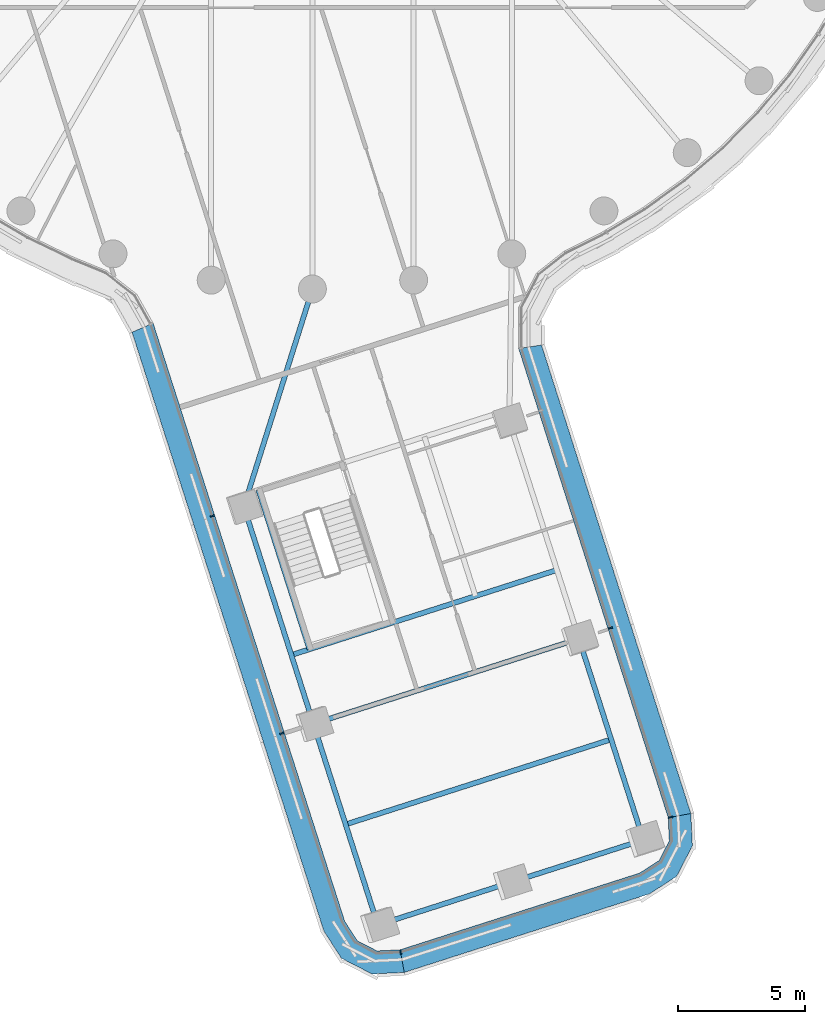
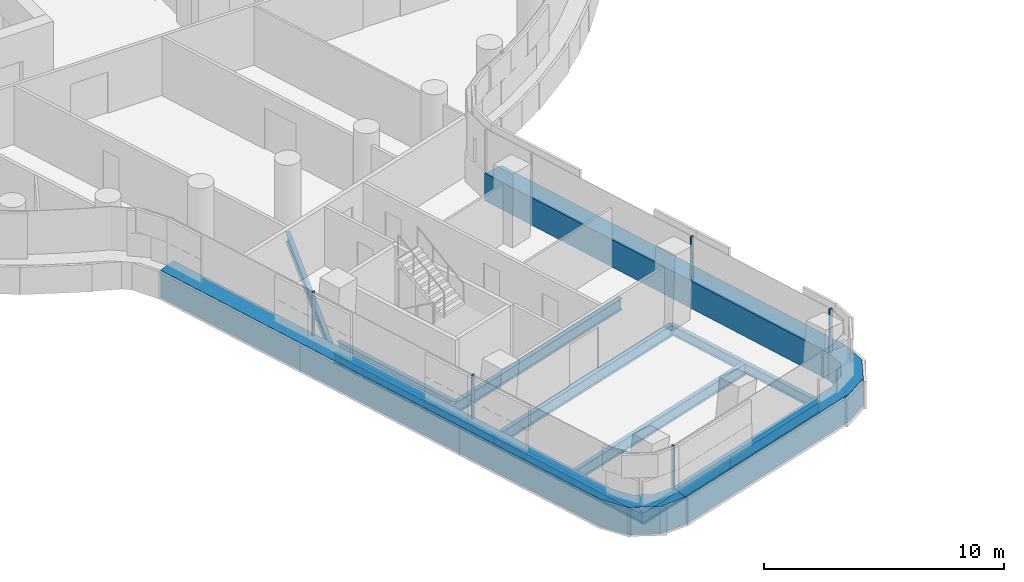
# One storey, part 2 of 30: 10 beams, 8 members, 3 elements without a shape of their own.
"""IFC4 building model written with IfcOpenShell, lengths in metres."""

import ifcopenshell
import ifcopenshell.guid

model = None  # the IFC model being written
_history = None  # IfcOwnerHistory: only IFC2X3 demands one
_inside = {}  # id of a spatial element -> (the spatial element, [elements in it])
_under = {}  # id of a project, library or spatial element -> (it, [spatial elements below it])
_declared = {}  # id of a project -> (the project, [libraries it declares])
_typed = {}  # id of a type object -> (the type object, [elements of that type])
_made_of = {}  # id of a material, layer set ... -> (it, [elements and type objects made of it])


def new_model(schema):
    """Start an empty IFC model of exactly this schema.

    Asked for "IFC4X3", IfcOpenShell would pick the latest addendum, in which some entities
    have other attributes; the version numbers below select the first issue.
    IFC2X3 requires an IfcOwnerHistory on every rooted entity: one is made here for all.
    """
    global model, _history
    if schema == "IFC4X3":
        model = ifcopenshell.file(schema_version=(4, 3, 0, 0))
    else:
        model = ifcopenshell.file(schema=schema)
    _inside.clear()
    _under.clear()
    _declared.clear()
    _typed.clear()
    _made_of.clear()
    _history = None
    if model.schema == "IFC2X3":
        org = make("IfcOrganization", Name="unknown")
        user = make(
            "IfcPersonAndOrganization",
            ThePerson=make("IfcPerson", FamilyName="unknown"),
            TheOrganization=org,
        )
        app = make(
            "IfcApplication",
            ApplicationDeveloper=org,
            Version="unknown",
            ApplicationFullName="unknown",
            ApplicationIdentifier="unknown",
        )
        _history = make(
            "IfcOwnerHistory",
            OwningUser=user,
            OwningApplication=app,
            ChangeAction="ADDED",
            CreationDate=0,
        )
    return model


def make(cls, **values):
    """One entity of the class cls with the attributes given. An attribute that is None is left unset."""
    return model.create_entity(
        cls, **{name: value for name, value in values.items() if value is not None}
    )


def rooted(cls, **values):
    """An entity with a GlobalId (a new one), such as an element, a storey or a relation."""
    return make(cls, GlobalId=ifcopenshell.guid.new(), OwnerHistory=_history, **values)


def si_unit(unit_type, name, prefix=None):
    """IfcSIUnit, for example si_unit("LENGTHUNIT", "METRE", prefix="MILLI")."""
    return make("IfcSIUnit", UnitType=unit_type, Prefix=prefix, Name=name)


def assignment(units):
    """IfcUnitAssignment: the units of a project."""
    return None if units is None else make("IfcUnitAssignment", Units=units)


def point(xyz):
    """IfcCartesianPoint."""
    return None if xyz is None else make("IfcCartesianPoint", Coordinates=xyz)


def direction(xyz):
    """IfcDirection."""
    return None if xyz is None else make("IfcDirection", DirectionRatios=xyz)


def frame(location, z_axis=None, x_axis=None):
    """IfcAxis2Placement3D, a coordinate frame: its origin and axes. An axis left out is left unset."""
    return make(
        "IfcAxis2Placement3D",
        Location=point(location),
        Axis=direction(z_axis),
        RefDirection=direction(x_axis),
    )


def frame_2d(location, x_axis=None):
    """IfcAxis2Placement2D, a coordinate frame in the plane: its origin and x axis."""
    return make(
        "IfcAxis2Placement2D", Location=point(location), RefDirection=direction(x_axis)
    )


def origin():
    """The frame at (0, 0, 0) with its axes left unset."""
    return frame((0.0, 0.0, 0.0))


def origin_2d():
    """The frame at (0, 0) in the plane with its x axis left unset."""
    return frame_2d((0.0, 0.0))


def place(relative_to, where):
    """IfcLocalPlacement: puts the frame where relative to a parent placement (None: the world)."""
    return make(
        "IfcLocalPlacement", PlacementRelTo=relative_to, RelativePlacement=where
    )


def context(
    kind, dimensions, precision=None, world=None, true_north=None, identifier=None
):
    """IfcGeometricRepresentationContext, for example the 3D "Model" context."""
    return make(
        "IfcGeometricRepresentationContext",
        ContextIdentifier=identifier,
        ContextType=kind,
        CoordinateSpaceDimension=dimensions,
        Precision=precision,
        WorldCoordinateSystem=world,
        TrueNorth=true_north,
    )


def subcontext(parent, identifier, kind, view, scale=None):
    """IfcGeometricRepresentationSubContext, for example "Body" below "Model"."""
    return make(
        "IfcGeometricRepresentationSubContext",
        ContextIdentifier=identifier,
        ContextType=kind,
        ParentContext=parent,
        TargetScale=scale,
        TargetView=view,
    )


def project(units=None, contexts=None):
    """IfcProject with its units and contexts."""
    return rooted(
        "IfcProject",
        Name="project",
        RepresentationContexts=contexts,
        UnitsInContext=assignment(units),
    )


def spatial(cls, under=None, at=None, **own):
    """A site, building, storey or space (cls), placed at a placement, below another one or the project."""
    s = rooted(cls, ObjectPlacement=at, **own)
    if under is not None:
        _under.setdefault(under.id(), (under, []))[1].append(s)
    return s


def polyline(points):
    """IfcPolyline through the points."""
    return make("IfcPolyline", Points=[point(p) for p in points])


def profile(cls, at=None, kind="AREA", **sizes):
    """A parametric profile (cls). Its sizes go by their IFC names, for example OverallWidth=200.0."""
    return make(cls, ProfileType=kind, Position=at, **sizes)


def rectangle(**sizes):
    """IfcRectangleProfileDef."""
    return profile("IfcRectangleProfileDef", **sizes)


def i_section(**sizes):
    """IfcIShapeProfileDef."""
    return profile("IfcIShapeProfileDef", **sizes)


def outline(outer, holes=None, kind="AREA"):
    """IfcArbitraryClosedProfileDef: a profile drawn as a closed curve; with holes, ...WithVoids."""
    if holes is None:
        return make("IfcArbitraryClosedProfileDef", ProfileType=kind, OuterCurve=outer)
    return make(
        "IfcArbitraryProfileDefWithVoids",
        ProfileType=kind,
        OuterCurve=outer,
        InnerCurves=holes,
    )


def extrude(swept, where, along, depth):
    """IfcExtrudedAreaSolid: the profile swept, set in the frame where, extruded along a direction by depth."""
    return make(
        "IfcExtrudedAreaSolid",
        SweptArea=swept,
        Position=where,
        ExtrudedDirection=direction(along),
        Depth=depth,
    )


def shape(context_of_items, identifier, shape_type, items):
    """IfcShapeRepresentation: the items that make up one representation, for example the "Body"."""
    return make(
        "IfcShapeRepresentation",
        ContextOfItems=context_of_items,
        RepresentationIdentifier=identifier,
        RepresentationType=shape_type,
        Items=items,
    )


def material(Name=None, Category=None):
    """IfcMaterial."""
    return make("IfcMaterial", Name=Name, Category=Category)


def layer(
    of_material, thickness, ventilated=None, Name=None, Category=None, Priority=None
):
    """IfcMaterialLayer: one layer of a wall or slab, of a material (None: an air gap)."""
    return make(
        "IfcMaterialLayer",
        Material=of_material,
        LayerThickness=thickness,
        IsVentilated=ventilated,
        Name=Name,
        Category=Category,
        Priority=Priority,
    )


def layer_set(layers, Name=None):
    """IfcMaterialLayerSet."""
    return make("IfcMaterialLayerSet", MaterialLayers=layers, LayerSetName=Name)


def material_profile(
    of_material, cross_section, Name=None, Category=None, Priority=None
):
    """IfcMaterialProfile: a cross section and its material."""
    return make(
        "IfcMaterialProfile",
        Name=Name,
        Material=of_material,
        Profile=cross_section,
        Priority=Priority,
        Category=Category,
    )


def profile_set(profiles, Name=None, composite=None):
    """IfcMaterialProfileSet."""
    return make(
        "IfcMaterialProfileSet",
        Name=Name,
        MaterialProfiles=profiles,
        CompositeProfile=composite,
    )


def made_of(thing, what):
    """Note that an element or type object is made of a material, layer set ...; save() writes the relation."""
    if what is not None:
        _made_of.setdefault(what.id(), (what, []))[1].append(thing)
    return thing


def type_object(cls, material=None, **own):
    """A type object (cls), such as IfcWallType, which elements share."""
    return made_of(rooted(cls, **own), material)


def element(
    cls,
    number,
    at=None,
    inside=None,
    cuts=None,
    type_object=None,
    material=None,
    context=None,
    identifier="Body",
    shape_type=None,
    held_by="IfcProductDefinitionShape",
    body=None,
    shapes=None,
    **own,
):
    """One element of the class cls, such as IfcWall. Its Tag is "e" and its number.

    at: its placement. inside: the storey or other place that contains it. cuts: it is an
    opening in that element (IfcRelVoidsElement). A single representation is given by context,
    identifier, shape_type and body (its items); several are given by shapes. held_by: the class
    of the entity that holds the representations. save() writes the other relations.
    """
    e = rooted(cls, Tag="e%d" % number, ObjectPlacement=at, **own)
    if body is not None:
        shapes = [shape(context, identifier, shape_type, body)]
    if shapes is not None:
        e.Representation = make(held_by, Representations=shapes)
    if inside is not None:
        _inside.setdefault(inside.id(), (inside, []))[1].append(e)
    if cuts is not None:
        rooted(
            "IfcRelVoidsElement", RelatingBuildingElement=cuts, RelatedOpeningElement=e
        )
    if type_object is not None:
        _typed.setdefault(type_object.id(), (type_object, []))[1].append(e)
    return made_of(e, material)


def aggregate(whole, parts):
    """IfcRelAggregates: a whole, such as a stair, and the parts it consists of."""
    return rooted("IfcRelAggregates", RelatingObject=whole, RelatedObjects=parts)


def save(model, path):
    """Write the relations noted so far, then the file.

    IfcRelAggregates (storeys below a building ...), IfcRelContainedInSpatialStructure (elements
    in a storey), IfcRelDefinesByType, IfcRelAssociatesMaterial and IfcRelDeclares: one each for
    every whole, place, type object, material and project.
    """
    for whole, parts in _under.values():
        aggregate(whole, parts)
    for where, things in _inside.values():
        rooted(
            "IfcRelContainedInSpatialStructure",
            RelatedElements=things,
            RelatingStructure=where,
        )
    for kind, things in _typed.values():
        rooted("IfcRelDefinesByType", RelatedObjects=things, RelatingType=kind)
    for what, things in _made_of.values():
        rooted("IfcRelAssociatesMaterial", RelatedObjects=things, RelatingMaterial=what)
    for by, libraries in _declared.values():
        rooted("IfcRelDeclares", RelatingContext=by, RelatedDefinitions=libraries)
    model.write(path)


model = new_model("IFC4")

# Units and contexts
model_context = context("Model", 3, precision=1e-05, world=origin(), true_north=direction((0.0, 1.0)))
body_context = subcontext(model_context, "Body", "Model", "MODEL_VIEW")
ifc_project = project(units=[si_unit("LENGTHUNIT", "METRE"), si_unit("AREAUNIT", "SQUARE_METRE"), si_unit("VOLUMEUNIT", "CUBIC_METRE"), si_unit("PLANEANGLEUNIT", "RADIAN"), si_unit("MASSUNIT", "GRAM", prefix="KILO")], contexts=[model_context])

# Site, building, storey
site_placement = place(None, origin())
site = spatial("IfcSite", under=ifc_project, at=site_placement, CompositionType="ELEMENT")
building_placement = place(site_placement, origin())
building = spatial("IfcBuilding", under=site, at=building_placement, Name="Tamarind Cross Interchange Tower", CompositionType="ELEMENT")
storey_placement = place(building_placement, frame((0.0, 0.0, 98.5)))
storey = spatial("IfcBuildingStorey", under=building, at=storey_placement, Name="L23", CompositionType="ELEMENT", Elevation=98.5)

# Beams
ifc_material_1 = material(Name="Steel Q355B", Category="steel")
ifc_material_profile_1 = material_profile(ifc_material_1, i_section(OverallWidth=0.198974609375, OverallDepth=0.49609375, WebThickness=0.009033203125, FlangeThickness=0.013916015625, FilletRadius=0.012939453125, at=origin_2d()), Name="HN 496x199x9x14")
ifc_profile_set_1 = profile_set([ifc_material_profile_1], Name="Steel Q355B")
beam_type_1 = type_object("IfcBeamType", Name="Composite beam HN 496x199x9x14 Q355B", PredefinedType="BEAM", material=ifc_profile_set_1)
beam_1_placement = place(storey_placement, frame((2.581298828125, -48.087890625, -0.387939453125), z_axis=(-0.305059586692, 0.952333265495, 0.0), x_axis=(-0.952333265495, -0.305059586692, 0.0)))
element("IfcBeam", 1, at=beam_1_placement, inside=storey, type_object=beam_type_1, Name="Beam S-edgeem5", PredefinedType="BEAM", context=body_context, shape_type="SweptSolid", body=[
    extrude(i_section(OverallWidth=0.198974609375, OverallDepth=0.49609375, WebThickness=0.009033203125, FlangeThickness=0.013916015625, FilletRadius=0.012939453125, at=origin_2d()), origin(), (0.0, 0.0, 1.0), 8.33203125),
])
beam_2_placement = place(storey_placement, frame((0.03955078125, -40.153076171875, -0.387939453125), z_axis=(-0.305048367314, 0.952336859309, 0.0), x_axis=(-0.952336859309, -0.305048367314, 0.0)))
element("IfcBeam", 2, at=beam_2_placement, inside=storey, type_object=beam_type_1, Name="Beam S-edgeem6", PredefinedType="BEAM", context=body_context, shape_type="SweptSolid", body=[
    extrude(i_section(OverallWidth=0.198974609375, OverallDepth=0.49609375, WebThickness=0.009033203125, FlangeThickness=0.013916015625, FilletRadius=0.012939453125, at=origin_2d()), origin(), (0.0, 0.0, 1.0), 8.999755859375),
])
beam_3_placement = place(storey_placement, frame((13.05712890625, -44.732421875, -0.387939453125), z_axis=(-0.305059586692, 0.952333265495, 0.0), x_axis=(-0.952333265495, -0.305059586692, 0.0)))
element("IfcBeam", 3, at=beam_3_placement, inside=storey, type_object=beam_type_1, Name="Beam S-edgeep2", PredefinedType="BEAM", context=body_context, shape_type="SweptSolid", body=[
    extrude(i_section(OverallWidth=0.198974609375, OverallDepth=0.49609375, WebThickness=0.009033203125, FlangeThickness=0.013916015625, FilletRadius=0.012939453125, at=origin_2d()), origin(), (0.0, 0.0, 1.0), 8.33203125),
])
beam_4_placement = place(storey_placement, frame((-2.705810546875, -31.582275390625, -0.387939453125), z_axis=(0.300688566631, 0.953722384081, 0.0), x_axis=(-0.953722384081, 0.300688566631, 0.0)))
element("IfcBeam", 4, at=beam_4_placement, inside=storey, type_object=beam_type_1, Name="Beam S-linkem", PredefinedType="BEAM", context=body_context, shape_type="SweptSolid", body=[
    extrude(i_section(OverallWidth=0.198974609375, OverallDepth=0.49609375, WebThickness=0.009033203125, FlangeThickness=0.013916015625, FilletRadius=0.012939453125, at=origin_2d()), origin(), (0.0, 0.0, 1.0), 8.998779296875),
])
beam_5_placement = place(storey_placement, frame((-2.12890625, -30.9248046875, -0.387939453125), z_axis=(0.3050642854, -0.952331760351, 0.0), x_axis=(0.952331760351, 0.3050642854, 0.0)))
element("IfcBeam", 5, at=beam_5_placement, inside=storey, type_object=beam_type_1, Name="Beam S-tr0", PredefinedType="BEAM", context=body_context, shape_type="SweptSolid", body=[
    extrude(i_section(OverallWidth=0.198974609375, OverallDepth=0.49609375, WebThickness=0.009033203125, FlangeThickness=0.013916015625, FilletRadius=0.012939453125, at=origin_2d()), origin(), (0.0, 0.0, 1.0), 6.60009765625),
])
ifc_material_profile_2 = material_profile(ifc_material_1, i_section(OverallWidth=0.199951171875, OverallDepth=0.60009765625, WebThickness=0.010986328125, FlangeThickness=0.01708984375, FilletRadius=0.012939453125, at=origin_2d()), Name="HN 600x200x11x17")
ifc_profile_set_2 = profile_set([ifc_material_profile_2], Name="Steel Q355B")
beam_type_2 = type_object("IfcBeamType", Name="Composite beam HN 600x200x11x17 Q355B", PredefinedType="BEAM", material=ifc_profile_set_2)
beam_6_placement = place(storey_placement, frame((2.581298828125, -48.087890625, -0.43994140625), z_axis=(0.952337519773, 0.305046305392, 0.0), x_axis=(-0.305046305392, 0.952337519773, 0.0)))
element("IfcBeam", 6, at=beam_6_placement, inside=storey, type_object=beam_type_2, Name="Beam S-tip0", PredefinedType="BEAM", context=body_context, shape_type="SweptSolid", body=[
    extrude(i_section(OverallWidth=0.199951171875, OverallDepth=0.60009765625, WebThickness=0.010986328125, FlangeThickness=0.01708984375, FilletRadius=0.012939453125, at=origin_2d()), origin(), (0.0, 0.0, 1.0), 5.5),
])
beam_7_placement = place(storey_placement, frame((7.819091796875, -46.41015625, -0.43994140625), z_axis=(0.95234165012, 0.305033410376, 0.0), x_axis=(-0.305033410376, 0.95234165012, 0.0)))
element("IfcBeam", 7, at=beam_7_placement, inside=storey, type_object=beam_type_2, Name="Beam S-tip1", PredefinedType="BEAM", context=body_context, shape_type="SweptSolid", body=[
    extrude(i_section(OverallWidth=0.199951171875, OverallDepth=0.60009765625, WebThickness=0.010986328125, FlangeThickness=0.01708984375, FilletRadius=0.012939453125, at=origin_2d()), origin(), (0.0, 0.0, 1.0), 5.500244140625),
])
for number, where, z_axis, x_axis, name in (
    (8, (-0.829833984375, -37.43896484375, -0.43994140625), (0.952339585012, 0.305039857755, 0.0), (-0.305039857755, 0.952339585012, 0.0), "Beam S-x364"),
    (9, (0.03955078125, -40.153076171875, -0.43994140625), (0.952339585012, 0.305039857755, 0.0), (-0.305039857755, 0.952339585012, 0.0), "Beam S-x393"),
    (10, (1.310546875, -44.12060546875, -0.43994140625), (0.952331071837, 0.305066434754, 0.0), (-0.305066434754, 0.952331071837, 0.0), "Beam S-x435"),
):
    element("IfcBeam", number, at=place(storey_placement, frame(where, z_axis=z_axis, x_axis=x_axis)), inside=storey, type_object=beam_type_2, Name=name, PredefinedType="BEAM", context=body_context, shape_type="SweptSolid", body=[
        extrude(i_section(OverallWidth=0.199951171875, OverallDepth=0.60009765625, WebThickness=0.010986328125, FlangeThickness=0.01708984375, FilletRadius=0.012939453125, at=origin_2d()), origin(), (0.0, 0.0, 1.0), 11.0),
    ])

# Curtain wall, member
ifc_material_2 = material(Name="Aluminium 6063-T6", Category="aluminium")
ifc_layer = layer(ifc_material_2, 0.159912109375)
ifc_layer_set = layer_set([ifc_layer], Name="Aluminium 6063-T6")
curtain_wall_type = type_object("IfcCurtainWallType", Name="Office curtain wall, 9.0 m bays", PredefinedType="NOTDEFINED", material=ifc_layer_set)
curtain_wall_1_placement = place(storey_placement, origin())
curtain_wall_1 = element("IfcCurtainWall", 11, at=curtain_wall_1_placement, inside=storey, type_object=curtain_wall_type, Name="CWS-L23-11", PredefinedType="NOTDEFINED")
ifc_material_3 = material(Name="Aluminium and insulated spandrel panel", Category="aluminium")
member_type_1 = type_object("IfcMemberType", Name="Floor-edge blade transom", PredefinedType="USERDEFINED", material=ifc_material_3)
member_1_placement = place(storey_placement, origin())
member_1 = element("IfcMember", 12, at=member_1_placement, type_object=member_type_1, Name="CWT-L23-11", ObjectType="TRANSOM", PredefinedType="USERDEFINED", context=body_context, shape_type="SweptSolid", body=[
    extrude(outline(polyline([(-6.284912109375, -24.342529296875), (1.27392578125, -47.940185546875), (1.769287109375, -48.7099609375), (2.546875, -49.1103515625), (3.461181640625, -49.066162109375), (3.623046875, -49.95947265625), (2.349365234375, -50.020751953125), (1.14306640625, -49.39990234375), (0.453125, -48.32763671875), (-7.1142578125, -24.7041015625), (-6.284912109375, -24.342529296875)])), origin(), (0.0, 0.0, 1.0), 1.39990234375),
])

curtain_wall_2_placement = place(storey_placement, origin())
curtain_wall_2 = element("IfcCurtainWall", 13, at=curtain_wall_2_placement, inside=storey, type_object=curtain_wall_type, Name="CWS-L23-12", PredefinedType="NOTDEFINED")
member_2_placement = place(storey_placement, origin())
member_2 = element("IfcMember", 14, at=member_2_placement, type_object=member_type_1, Name="CWT-L23-12", ObjectType="TRANSOM", PredefinedType="USERDEFINED", context=body_context, shape_type="SweptSolid", body=[
    extrude(outline(polyline([(3.461181640625, -49.066162109375), (12.909423828125, -46.039794921875), (13.67919921875, -45.54443359375), (14.079345703125, -44.766845703125), (14.03515625, -43.852294921875), (14.928466796875, -43.691162109375), (14.989990234375, -44.96435546875), (14.368896484375, -46.170654296875), (13.296630859375, -46.860595703125), (3.623046875, -49.95947265625), (3.461181640625, -49.066162109375)])), origin(), (0.0, 0.0, 1.0), 1.39990234375),
])

curtain_wall_3_placement = place(storey_placement, origin())
curtain_wall_3 = element("IfcCurtainWall", 15, at=curtain_wall_3_placement, inside=storey, type_object=curtain_wall_type, Name="CWS-L23-13", PredefinedType="NOTDEFINED")
member_3_placement = place(storey_placement, origin())
member_3 = element("IfcMember", 16, at=member_3_placement, type_object=member_type_1, Name="CWT-L23-13", ObjectType="TRANSOM", PredefinedType="USERDEFINED", context=body_context, shape_type="SweptSolid", body=[
    extrude(outline(polyline([(14.03515625, -43.852294921875), (8.137451171875, -25.348388671875), (9.037353515625, -25.20849609375), (14.928466796875, -43.691162109375), (14.03515625, -43.852294921875)])), origin(), (0.0, 0.0, 1.0), 1.39990234375),
])

# Member
ifc_material_profile_3 = material_profile(ifc_material_2, rectangle(XDim=0.06005859375, YDim=0.159912109375, at=origin_2d()), Name="Mullion CW1")
ifc_profile_set_3 = profile_set([ifc_material_profile_3], Name="Aluminium 6063-T6")
member_type_2 = type_object("IfcMemberType", Name="Mullion CW1", PredefinedType="MULLION", material=ifc_profile_set_3)
member_4_placement = place(storey_placement, frame((-3.95068359375, -31.95751953125, 1.39990234375), z_axis=(0.0, 0.0, 1.0), x_axis=(0.305057113111, -0.95233405785, 0.0)))
member_4 = element("IfcMember", 17, at=member_4_placement, type_object=member_type_2, Name="CWM-L23-11-01", PredefinedType="MULLION", context=body_context, shape_type="SweptSolid", body=[
    extrude(rectangle(XDim=0.06005859375, YDim=0.159912109375, at=origin_2d()), origin(), (0.0, 0.0, 1.0), 2.210205078125),
])

member_5_placement = place(storey_placement, frame((-1.205810546875, -40.526611328125, 1.39990234375), z_axis=(0.0, 0.0, 1.0), x_axis=(0.305057113111, -0.95233405785, 0.0)))
member_5 = element("IfcMember", 18, at=member_5_placement, type_object=member_type_2, Name="CWM-L23-11-02", PredefinedType="MULLION", context=body_context, shape_type="SweptSolid", body=[
    extrude(rectangle(XDim=0.06005859375, YDim=0.159912109375, at=origin_2d()), origin(), (0.0, 0.0, 1.0), 2.210205078125),
])

aggregate(curtain_wall_1, [member_4, member_5, member_1])

member_6_placement = place(storey_placement, frame((3.479248046875, -49.16552734375, 1.39990234375), z_axis=(0.0, 0.0, 1.0), x_axis=(0.98400465135, 0.178142768927, 0.0)))
member_6 = element("IfcMember", 19, at=member_6_placement, type_object=member_type_2, Name="CWM-L23-12-00", PredefinedType="MULLION", context=body_context, shape_type="SweptSolid", body=[
    extrude(rectangle(XDim=0.06005859375, YDim=0.159912109375, at=origin_2d()), origin(), (0.0, 0.0, 1.0), 2.210205078125),
])

aggregate(curtain_wall_2, [member_6, member_2])

member_7_placement = place(storey_placement, frame((14.134521484375, -43.83447265625, 1.39990234375), z_axis=(0.0, 0.0, 1.0), x_axis=(-0.177432761031, 0.984132925632, 0.0)))
member_7 = element("IfcMember", 20, at=member_7_placement, type_object=member_type_2, Name="CWM-L23-13-00", PredefinedType="MULLION", context=body_context, shape_type="SweptSolid", body=[
    extrude(rectangle(XDim=0.06005859375, YDim=0.159912109375, at=origin_2d()), origin(), (0.0, 0.0, 1.0), 2.210205078125),
])

member_8_placement = place(storey_placement, frame((11.75537109375, -36.370361328125, 1.39990234375), z_axis=(0.0, 0.0, 1.0), x_axis=(-0.303682573614, 0.952773264992, 0.0)))
member_8 = element("IfcMember", 21, at=member_8_placement, type_object=member_type_2, Name="CWM-L23-13-01", PredefinedType="MULLION", context=body_context, shape_type="SweptSolid", body=[
    extrude(rectangle(XDim=0.06005859375, YDim=0.159912109375, at=origin_2d()), origin(), (0.0, 0.0, 1.0), 2.210205078125),
])

aggregate(curtain_wall_3, [member_7, member_8, member_3])

save(model, "model.ifc")
